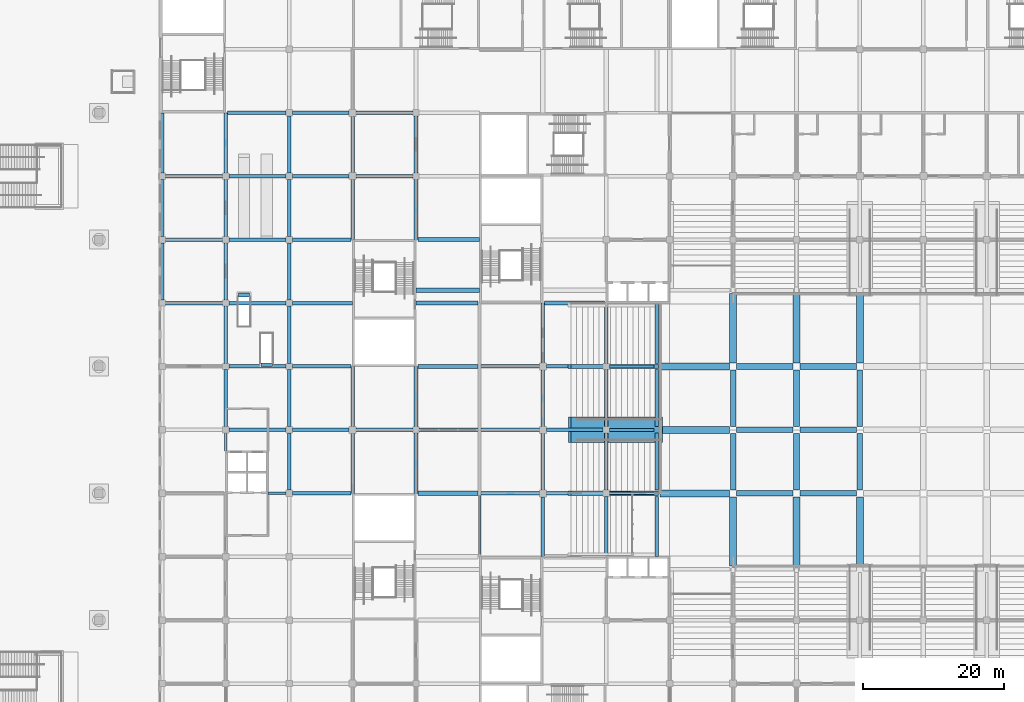
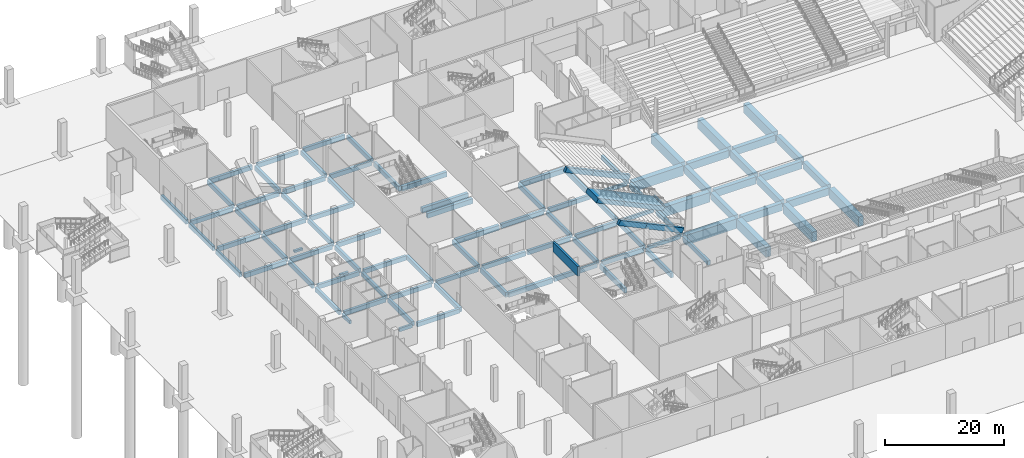
# One storey, part 12 of 92: 100 beams, 2 members.
"""IFC4 building model written with IfcOpenShell, lengths in metres."""

from ifc_helpers import new_model, si_unit, direction, frame, origin, origin_2d, place, context, subcontext, project, spatial, rectangle, extrude, material, material_profile, profile_set, type_object, element, save


model = new_model("IFC4")

# Units and contexts
model_context = context("Model", 3, precision=1e-05, world=origin(), true_north=direction((0.0, 1.0)))
body_context = subcontext(model_context, "Body", "Model", "MODEL_VIEW")
ifc_project = project(units=[si_unit("LENGTHUNIT", "METRE"), si_unit("AREAUNIT", "SQUARE_METRE"), si_unit("VOLUMEUNIT", "CUBIC_METRE"), si_unit("PLANEANGLEUNIT", "RADIAN"), si_unit("MASSUNIT", "GRAM", prefix="KILO")], contexts=[model_context])

# Site, building, storey
site_placement = place(None, origin())
site = spatial("IfcSite", under=ifc_project, at=site_placement, CompositionType="ELEMENT")
building_placement = place(site_placement, origin())
building = spatial("IfcBuilding", under=site, at=building_placement, Name="Silverbay Arena", CompositionType="ELEMENT")
storey_placement = place(building_placement, origin())
storey = spatial("IfcBuildingStorey", under=building, at=storey_placement, Name="L00", CompositionType="ELEMENT", Elevation=0.0)

# Members
ifc_material_1 = material(Name="Steel S355", Category="steel")
ifc_material_profile_1 = material_profile(ifc_material_1, rectangle(XDim=0.5, YDim=0.39990234375, at=origin_2d()), Name="BOX 500x400")
ifc_profile_set_1 = profile_set([ifc_material_profile_1], Name="Steel S355")
member_type = type_object("IfcMemberType", Name="Escalator truss seat 500 x 400", PredefinedType="STRUT", material=ifc_profile_set_1)
member_1_placement = place(storey_placement, frame((37.800048828125, 100.142333984375, -0.25), z_axis=(1.0, 0.0, 0.0), x_axis=(0.0, 1.0, 0.0)))
element("IfcMember", 1, at=member_1_placement, inside=storey, type_object=member_type, Name="Escalator truss seat LF28", PredefinedType="STRUT", context=body_context, shape_type="SweptSolid", body=[
    extrude(rectangle(XDim=0.5, YDim=0.39990234375, at=origin_2d()), origin(), (0.0, 0.0, 1.0), 1.599853515625),
])
member_2_placement = place(storey_placement, frame((41.0, 90.25, -0.25), z_axis=(1.0, 0.0, 0.0), x_axis=(0.0, 1.0, 0.0)))
element("IfcMember", 2, at=member_2_placement, inside=storey, type_object=member_type, Name="Escalator truss seat LF29", PredefinedType="STRUT", context=body_context, shape_type="SweptSolid", body=[
    extrude(rectangle(XDim=0.5, YDim=0.39990234375, at=origin_2d()), origin(), (0.0, 0.0, 1.0), 1.60009765625),
])

# Beams
ifc_material_2 = material(Name="Concrete Grade C45", Category="concrete")
ifc_material_profile_2 = material_profile(ifc_material_2, rectangle(XDim=1.0, YDim=2.0, at=origin_2d()), Name="RC 1000x2000")
ifc_profile_set_2 = profile_set([ifc_material_profile_2], Name="Concrete Grade C45")
beam_type_1 = type_object("IfcBeamType", Name="RC beam 1000x2000", PredefinedType="BEAM", material=ifc_profile_set_2)
for number, where, z_axis, x_axis, name in (
    (3, (97.64990234375, 72.0, -1.60009765625), (1.0, 0.0, 0.0), (0.0, 1.0, 0.0), "Floor beam L00 093"),
    (4, (97.64990234375, 81.0, -1.60009765625), (1.0, 0.0, 0.0), (0.0, 1.0, 0.0), "Floor beam L00 115"),
    (5, (97.64990234375, 90.0, -1.60009765625), (1.0, 0.0, 0.0), (0.0, 1.0, 0.0), "Floor beam L00 137"),
    (6, (108.0, 61.64990234375, -1.60009765625), (0.0, 1.0, 0.0), (-1.0, 0.0, 0.0), "Floor beam L00 320"),
    (7, (108.0, 90.5, -1.60009765625), (0.0, 1.0, 0.0), (-1.0, 0.0, 0.0), "Floor beam L00 323"),
    (8, (117.0, 61.64990234375, -1.60009765625), (0.0, 1.0, 0.0), (-1.0, 0.0, 0.0), "Floor beam L00 332"),
    (9, (117.0, 90.5, -1.60009765625), (0.0, 1.0, 0.0), (-1.0, 0.0, 0.0), "Floor beam L00 335"),
    (10, (126.0, 61.64990234375, -1.60009765625), (0.0, 1.0, 0.0), (-1.0, 0.0, 0.0), "Floor beam L00 345"),
    (11, (126.0, 90.5, -1.60009765625), (0.0, 1.0, 0.0), (-1.0, 0.0, 0.0), "Floor beam L00 348"),
):
    element("IfcBeam", number, at=place(storey_placement, frame(where, z_axis=z_axis, x_axis=x_axis)), inside=storey, type_object=beam_type_1, Name=name, PredefinedType="BEAM", context=body_context, shape_type="SweptSolid", body=[
        extrude(rectangle(XDim=1.0, YDim=2.0, at=origin_2d()), origin(), (0.0, 0.0, 1.0), 9.85009765625),
    ])
ifc_material_3 = material(Name="Concrete Grade C45", Category="concrete")
ifc_material_profile_3 = material_profile(ifc_material_3, rectangle(XDim=0.39990234375, YDim=0.699951171875, at=origin_2d()), Name="RC 400x700")
ifc_profile_set_3 = profile_set([ifc_material_profile_3], Name="Concrete Grade C45")
beam_type_2 = type_object("IfcBeamType", Name="RC beam 400x700", PredefinedType="BEAM", material=ifc_profile_set_3)
beam_1_placement = place(storey_placement, frame((42.0, 72.0, -0.800048828125), z_axis=(1.0, 0.0, 0.0), x_axis=(0.0, 1.0, 0.0)))
element("IfcBeam", 12, at=beam_1_placement, inside=storey, type_object=beam_type_2, Name="Floor beam L00 087", PredefinedType="BEAM", context=body_context, shape_type="SweptSolid", body=[
    extrude(rectangle(XDim=0.39990234375, YDim=0.699951171875, at=origin_2d()), origin(), (0.0, 0.0, 1.0), 2.550048828125),
])
for number, where, z_axis, x_axis, name in (
    (13, (90.449951171875, 72.0, -0.800048828125), (1.0, 0.0, 0.0), (0.0, 1.0, 0.0), "Floor beam L00 092"),
    (14, (90.449951171875, 81.0, -0.800048828125), (1.0, 0.0, 0.0), (0.0, 1.0, 0.0), "Floor beam L00 114"),
    (15, (90.449951171875, 90.0, -0.800048828125), (1.0, 0.0, 0.0), (0.0, 1.0, 0.0), "Floor beam L00 136"),
):
    element("IfcBeam", number, at=place(storey_placement, frame(where, z_axis=z_axis, x_axis=x_axis)), inside=storey, type_object=beam_type_2, Name=name, PredefinedType="BEAM", context=body_context, shape_type="SweptSolid", body=[
        extrude(rectangle(XDim=0.39990234375, YDim=0.699951171875, at=origin_2d()), origin(), (0.0, 0.0, 1.0), 6.300048828125),
    ])
beam_2_placement = place(storey_placement, frame((36.0, 78.0, -0.800048828125), z_axis=(0.0, 1.0, 0.0), x_axis=(-1.0, 0.0, 0.0)))
element("IfcBeam", 16, at=beam_2_placement, inside=storey, type_object=beam_type_2, Name="Floor beam L00 250", PredefinedType="BEAM", context=body_context, shape_type="SweptSolid", body=[
    extrude(rectangle(XDim=0.39990234375, YDim=0.699951171875, at=origin_2d()), origin(), (0.0, 0.0, 1.0), 2.550048828125),
])
ifc_material_4 = material(Name="Concrete Grade C45", Category="concrete")
ifc_material_profile_4 = material_profile(ifc_material_4, rectangle(XDim=0.5, YDim=1.0, at=origin_2d()), Name="RC 500x1000")
ifc_profile_set_4 = profile_set([ifc_material_profile_4], Name="Concrete Grade C45")
beam_type_3 = type_object("IfcBeamType", Name="RC beam 500x1000", PredefinedType="BEAM", material=ifc_profile_set_4)
for number, where, z_axis, x_axis, name in (
    (17, (63.0, 72.0, -0.949951171875), (0.0, 1.0, 0.0), (-1.0, 0.0, 0.0), "Floor beam L00 281"),
    (18, (63.0, 81.449951171875, -0.949951171875), (0.0, 1.0, 0.0), (-1.0, 0.0, 0.0), "Floor beam L00 282"),
    (19, (63.0, 108.0, -0.949951171875), (0.0, 1.0, 0.0), (-1.0, 0.0, 0.0), "Floor beam L00 283"),
):
    element("IfcBeam", number, at=place(storey_placement, frame(where, z_axis=z_axis, x_axis=x_axis)), inside=storey, type_object=beam_type_3, Name=name, PredefinedType="BEAM", context=body_context, shape_type="SweptSolid", body=[
        extrude(rectangle(XDim=0.5, YDim=1.0, at=origin_2d()), origin(), (0.0, 0.0, 1.0), 8.550048828125),
    ])
for number, where, z_axis, x_axis, name in (
    (20, (81.0, 63.0, -0.949951171875), (0.0, 1.0, 0.0), (-1.0, 0.0, 0.0), "Floor beam L00 287"),
    (21, (81.0, 90.5, -0.949951171875), (0.0, 1.0, 0.0), (-1.0, 0.0, 0.0), "Floor beam L00 290"),
):
    element("IfcBeam", number, at=place(storey_placement, frame(where, z_axis=z_axis, x_axis=x_axis)), inside=storey, type_object=beam_type_3, Name=name, PredefinedType="BEAM", context=body_context, shape_type="SweptSolid", body=[
        extrude(rectangle(XDim=0.5, YDim=1.0, at=origin_2d()), origin(), (0.0, 0.0, 1.0), 8.5),
    ])
for number, where, z_axis, x_axis, name in (
    (22, (90.0, 63.0, -0.949951171875), (0.0, 1.0, 0.0), (-1.0, 0.0, 0.0), "Floor beam L00 295"),
    (23, (90.0, 90.449951171875, -0.949951171875), (0.0, 1.0, 0.0), (-1.0, 0.0, 0.0), "Floor beam L00 298"),
):
    element("IfcBeam", number, at=place(storey_placement, frame(where, z_axis=z_axis, x_axis=x_axis)), inside=storey, type_object=beam_type_3, Name=name, PredefinedType="BEAM", context=body_context, shape_type="SweptSolid", body=[
        extrude(rectangle(XDim=0.5, YDim=1.0, at=origin_2d()), origin(), (0.0, 0.0, 1.0), 8.550048828125),
    ])
ifc_material_5 = material(Name="Concrete Grade C45", Category="concrete")
ifc_material_profile_5 = material_profile(ifc_material_5, rectangle(XDim=0.5, YDim=0.89990234375, at=origin_2d()), Name="RC 500x900")
ifc_profile_set_5 = profile_set([ifc_material_profile_5], Name="Concrete Grade C45")
beam_type_4 = type_object("IfcBeamType", Name="RC beam 500x900", PredefinedType="BEAM", material=ifc_profile_set_5)
for number, where, z_axis, x_axis, name in (
    (24, (45.449951171875, 72.0, -0.89990234375), (1.0, 0.0, 0.0), (0.0, 1.0, 0.0), "Floor beam L00 088"),
    (25, (72.199951171875, 72.0, -0.89990234375), (1.0, 0.0, 0.0), (0.0, 1.0, 0.0), "Floor beam L00 090"),
):
    element("IfcBeam", number, at=place(storey_placement, frame(where, z_axis=z_axis, x_axis=x_axis)), inside=storey, type_object=beam_type_4, Name=name, PredefinedType="BEAM", context=body_context, shape_type="SweptSolid", body=[
        extrude(rectangle(XDim=0.5, YDim=0.89990234375, at=origin_2d()), origin(), (0.0, 0.0, 1.0), 8.300048828125),
    ])
beam_3_placement = place(storey_placement, frame((81.5, 72.0, -0.89990234375), z_axis=(1.0, 0.0, 0.0), x_axis=(0.0, 1.0, 0.0)))
element("IfcBeam", 26, at=beam_3_placement, inside=storey, type_object=beam_type_4, Name="Floor beam L00 091", PredefinedType="BEAM", context=body_context, shape_type="SweptSolid", body=[
    extrude(rectangle(XDim=0.5, YDim=0.89990234375, at=origin_2d()), origin(), (0.0, 0.0, 1.0), 8.050048828125),
])
beam_4_placement = place(storey_placement, frame((36.449951171875, 81.0, -0.89990234375), z_axis=(1.0, 0.0, 0.0), x_axis=(0.0, 1.0, 0.0)))
element("IfcBeam", 27, at=beam_4_placement, inside=storey, type_object=beam_type_4, Name="Floor beam L00 108", PredefinedType="BEAM", context=body_context, shape_type="SweptSolid", body=[
    extrude(rectangle(XDim=0.5, YDim=0.89990234375, at=origin_2d()), origin(), (0.0, 0.0, 1.0), 8.10009765625),
])
for number, where, z_axis, x_axis, name in (
    (28, (45.449951171875, 81.0, -0.89990234375), (1.0, 0.0, 0.0), (0.0, 1.0, 0.0), "Floor beam L00 109"),
    (29, (54.5, 81.0, -0.89990234375), (1.0, 0.0, 0.0), (0.0, 1.0, 0.0), "Floor beam L00 110"),
):
    element("IfcBeam", number, at=place(storey_placement, frame(where, z_axis=z_axis, x_axis=x_axis)), inside=storey, type_object=beam_type_4, Name=name, PredefinedType="BEAM", context=body_context, shape_type="SweptSolid", body=[
        extrude(rectangle(XDim=0.5, YDim=0.89990234375, at=origin_2d()), origin(), (0.0, 0.0, 1.0), 8.050048828125),
    ])
beam_5_placement = place(storey_placement, frame((63.449951171875, 81.0, -0.89990234375), z_axis=(1.0, 0.0, 0.0), x_axis=(0.0, 1.0, 0.0)))
element("IfcBeam", 30, at=beam_5_placement, inside=storey, type_object=beam_type_4, Name="Floor beam L00 111", PredefinedType="BEAM", context=body_context, shape_type="SweptSolid", body=[
    extrude(rectangle(XDim=0.5, YDim=0.89990234375, at=origin_2d()), origin(), (0.0, 0.0, 1.0), 8.35009765625),
])
beam_6_placement = place(storey_placement, frame((72.199951171875, 81.0, -0.89990234375), z_axis=(1.0, 0.0, 0.0), x_axis=(0.0, 1.0, 0.0)))
element("IfcBeam", 31, at=beam_6_placement, inside=storey, type_object=beam_type_4, Name="Floor beam L00 112", PredefinedType="BEAM", context=body_context, shape_type="SweptSolid", body=[
    extrude(rectangle(XDim=0.5, YDim=0.89990234375, at=origin_2d()), origin(), (0.0, 0.0, 1.0), 8.300048828125),
])
beam_7_placement = place(storey_placement, frame((81.5, 81.0, -0.89990234375), z_axis=(1.0, 0.0, 0.0), x_axis=(0.0, 1.0, 0.0)))
element("IfcBeam", 32, at=beam_7_placement, inside=storey, type_object=beam_type_4, Name="Floor beam L00 113", PredefinedType="BEAM", context=body_context, shape_type="SweptSolid", body=[
    extrude(rectangle(XDim=0.5, YDim=0.89990234375, at=origin_2d()), origin(), (0.0, 0.0, 1.0), 8.050048828125),
])
beam_8_placement = place(storey_placement, frame((36.449951171875, 90.0, -0.89990234375), z_axis=(1.0, 0.0, 0.0), x_axis=(0.0, 1.0, 0.0)))
element("IfcBeam", 33, at=beam_8_placement, inside=storey, type_object=beam_type_4, Name="Floor beam L00 131", PredefinedType="BEAM", context=body_context, shape_type="SweptSolid", body=[
    extrude(rectangle(XDim=0.5, YDim=0.89990234375, at=origin_2d()), origin(), (0.0, 0.0, 1.0), 8.10009765625),
])
for number, where, z_axis, x_axis, name in (
    (34, (45.449951171875, 90.0, -0.89990234375), (1.0, 0.0, 0.0), (0.0, 1.0, 0.0), "Floor beam L00 132"),
    (35, (72.199951171875, 90.0, -0.89990234375), (1.0, 0.0, 0.0), (0.0, 1.0, 0.0), "Floor beam L00 134"),
):
    element("IfcBeam", number, at=place(storey_placement, frame(where, z_axis=z_axis, x_axis=x_axis)), inside=storey, type_object=beam_type_4, Name=name, PredefinedType="BEAM", context=body_context, shape_type="SweptSolid", body=[
        extrude(rectangle(XDim=0.5, YDim=0.89990234375, at=origin_2d()), origin(), (0.0, 0.0, 1.0), 8.300048828125),
    ])
beam_9_placement = place(storey_placement, frame((81.5, 90.0, -0.89990234375), z_axis=(1.0, 0.0, 0.0), x_axis=(0.0, 1.0, 0.0)))
element("IfcBeam", 36, at=beam_9_placement, inside=storey, type_object=beam_type_4, Name="Floor beam L00 135", PredefinedType="BEAM", context=body_context, shape_type="SweptSolid", body=[
    extrude(rectangle(XDim=0.5, YDim=0.89990234375, at=origin_2d()), origin(), (0.0, 0.0, 1.0), 8.050048828125),
])
for number, where, z_axis, x_axis, name in (
    (37, (27.449951171875, 99.0, -0.89990234375), (1.0, 0.0, 0.0), (0.0, 1.0, 0.0), "Floor beam L00 151"),
    (38, (36.449951171875, 99.0, -0.89990234375), (1.0, 0.0, 0.0), (0.0, 1.0, 0.0), "Floor beam L00 152"),
):
    element("IfcBeam", number, at=place(storey_placement, frame(where, z_axis=z_axis, x_axis=x_axis)), inside=storey, type_object=beam_type_4, Name=name, PredefinedType="BEAM", context=body_context, shape_type="SweptSolid", body=[
        extrude(rectangle(XDim=0.5, YDim=0.89990234375, at=origin_2d()), origin(), (0.0, 0.0, 1.0), 8.10009765625),
    ])
beam_10_placement = place(storey_placement, frame((45.449951171875, 99.0, -0.89990234375), z_axis=(1.0, 0.0, 0.0), x_axis=(0.0, 1.0, 0.0)))
element("IfcBeam", 39, at=beam_10_placement, inside=storey, type_object=beam_type_4, Name="Floor beam L00 153", PredefinedType="BEAM", context=body_context, shape_type="SweptSolid", body=[
    extrude(rectangle(XDim=0.5, YDim=0.89990234375, at=origin_2d()), origin(), (0.0, 0.0, 1.0), 8.550048828125),
])
for number, where, z_axis, x_axis, name in (
    (40, (27.449951171875, 108.0, -0.89990234375), (1.0, 0.0, 0.0), (0.0, 1.0, 0.0), "Floor beam L00 172"),
    (41, (36.449951171875, 108.0, -0.89990234375), (1.0, 0.0, 0.0), (0.0, 1.0, 0.0), "Floor beam L00 173"),
):
    element("IfcBeam", number, at=place(storey_placement, frame(where, z_axis=z_axis, x_axis=x_axis)), inside=storey, type_object=beam_type_4, Name=name, PredefinedType="BEAM", context=body_context, shape_type="SweptSolid", body=[
        extrude(rectangle(XDim=0.5, YDim=0.89990234375, at=origin_2d()), origin(), (0.0, 0.0, 1.0), 8.10009765625),
    ])
beam_11_placement = place(storey_placement, frame((45.449951171875, 108.0, -0.89990234375), z_axis=(1.0, 0.0, 0.0), x_axis=(0.0, 1.0, 0.0)))
element("IfcBeam", 42, at=beam_11_placement, inside=storey, type_object=beam_type_4, Name="Floor beam L00 174", PredefinedType="BEAM", context=body_context, shape_type="SweptSolid", body=[
    extrude(rectangle(XDim=0.5, YDim=0.89990234375, at=origin_2d()), origin(), (0.0, 0.0, 1.0), 8.300048828125),
])
for number, where, z_axis, x_axis, name in (
    (43, (27.449951171875, 117.0, -0.89990234375), (1.0, 0.0, 0.0), (0.0, 1.0, 0.0), "Floor beam L00 191"),
    (44, (36.449951171875, 117.0, -0.89990234375), (1.0, 0.0, 0.0), (0.0, 1.0, 0.0), "Floor beam L00 192"),
):
    element("IfcBeam", number, at=place(storey_placement, frame(where, z_axis=z_axis, x_axis=x_axis)), inside=storey, type_object=beam_type_4, Name=name, PredefinedType="BEAM", context=body_context, shape_type="SweptSolid", body=[
        extrude(rectangle(XDim=0.5, YDim=0.89990234375, at=origin_2d()), origin(), (0.0, 0.0, 1.0), 8.10009765625),
    ])
for number, where, z_axis, x_axis, name in (
    (45, (45.449951171875, 117.0, -0.89990234375), (1.0, 0.0, 0.0), (0.0, 1.0, 0.0), "Floor beam L00 193"),
    (46, (54.5, 117.0, -0.89990234375), (1.0, 0.0, 0.0), (0.0, 1.0, 0.0), "Floor beam L00 194"),
):
    element("IfcBeam", number, at=place(storey_placement, frame(where, z_axis=z_axis, x_axis=x_axis)), inside=storey, type_object=beam_type_4, Name=name, PredefinedType="BEAM", context=body_context, shape_type="SweptSolid", body=[
        extrude(rectangle(XDim=0.5, YDim=0.89990234375, at=origin_2d()), origin(), (0.0, 0.0, 1.0), 8.050048828125),
    ])
beam_12_placement = place(storey_placement, frame((36.25, 126.0, -0.89990234375), z_axis=(1.0, 0.0, 0.0), x_axis=(0.0, 1.0, 0.0)))
element("IfcBeam", 47, at=beam_12_placement, inside=storey, type_object=beam_type_4, Name="Floor beam L00 210", PredefinedType="BEAM", context=body_context, shape_type="SweptSolid", body=[
    extrude(rectangle(XDim=0.5, YDim=0.89990234375, at=origin_2d()), origin(), (0.0, 0.0, 1.0), 8.300048828125),
])
for number, where, z_axis, x_axis, name in (
    (48, (45.449951171875, 126.0, -0.89990234375), (1.0, 0.0, 0.0), (0.0, 1.0, 0.0), "Floor beam L00 211"),
    (49, (54.5, 126.0, -0.89990234375), (1.0, 0.0, 0.0), (0.0, 1.0, 0.0), "Floor beam L00 212"),
):
    element("IfcBeam", number, at=place(storey_placement, frame(where, z_axis=z_axis, x_axis=x_axis)), inside=storey, type_object=beam_type_4, Name=name, PredefinedType="BEAM", context=body_context, shape_type="SweptSolid", body=[
        extrude(rectangle(XDim=0.5, YDim=0.89990234375, at=origin_2d()), origin(), (0.0, 0.0, 1.0), 8.050048828125),
    ])
for number, where, z_axis, x_axis, name in (
    (50, (27.0, 99.449951171875, -0.89990234375), (0.0, 1.0, 0.0), (-1.0, 0.0, 0.0), "Floor beam L00 243"),
    (51, (27.0, 108.449951171875, -0.89990234375), (0.0, 1.0, 0.0), (-1.0, 0.0, 0.0), "Floor beam L00 244"),
):
    element("IfcBeam", number, at=place(storey_placement, frame(where, z_axis=z_axis, x_axis=x_axis)), inside=storey, type_object=beam_type_4, Name=name, PredefinedType="BEAM", context=body_context, shape_type="SweptSolid", body=[
        extrude(rectangle(XDim=0.5, YDim=0.89990234375, at=origin_2d()), origin(), (0.0, 0.0, 1.0), 8.10009765625),
    ])
beam_13_placement = place(storey_placement, frame((27.0, 117.449951171875, -0.89990234375), z_axis=(0.0, 1.0, 0.0), x_axis=(-1.0, 0.0, 0.0)))
element("IfcBeam", 52, at=beam_13_placement, inside=storey, type_object=beam_type_4, Name="Floor beam L00 245", PredefinedType="BEAM", context=body_context, shape_type="SweptSolid", body=[
    extrude(rectangle(XDim=0.5, YDim=0.89990234375, at=origin_2d()), origin(), (0.0, 0.0, 1.0), 8.550048828125),
])
for number, where, z_axis, x_axis, name in (
    (53, (36.0, 81.449951171875, -0.89990234375), (0.0, 1.0, 0.0), (-1.0, 0.0, 0.0), "Floor beam L00 251"),
    (54, (36.0, 90.449951171875, -0.89990234375), (0.0, 1.0, 0.0), (-1.0, 0.0, 0.0), "Floor beam L00 252"),
    (55, (36.0, 99.449951171875, -0.89990234375), (0.0, 1.0, 0.0), (-1.0, 0.0, 0.0), "Floor beam L00 253"),
    (56, (36.0, 108.449951171875, -0.89990234375), (0.0, 1.0, 0.0), (-1.0, 0.0, 0.0), "Floor beam L00 254"),
):
    element("IfcBeam", number, at=place(storey_placement, frame(where, z_axis=z_axis, x_axis=x_axis)), inside=storey, type_object=beam_type_4, Name=name, PredefinedType="BEAM", context=body_context, shape_type="SweptSolid", body=[
        extrude(rectangle(XDim=0.5, YDim=0.89990234375, at=origin_2d()), origin(), (0.0, 0.0, 1.0), 8.10009765625),
    ])
beam_14_placement = place(storey_placement, frame((36.0, 117.449951171875, -0.89990234375), z_axis=(0.0, 1.0, 0.0), x_axis=(-1.0, 0.0, 0.0)))
element("IfcBeam", 57, at=beam_14_placement, inside=storey, type_object=beam_type_4, Name="Floor beam L00 255", PredefinedType="BEAM", context=body_context, shape_type="SweptSolid", body=[
    extrude(rectangle(XDim=0.5, YDim=0.89990234375, at=origin_2d()), origin(), (0.0, 0.0, 1.0), 8.550048828125),
])
for number, where, z_axis, x_axis, name in (
    (58, (45.0, 72.449951171875, -0.89990234375), (0.0, 1.0, 0.0), (-1.0, 0.0, 0.0), "Floor beam L00 262"),
    (59, (45.0, 81.449951171875, -0.89990234375), (0.0, 1.0, 0.0), (-1.0, 0.0, 0.0), "Floor beam L00 263"),
    (60, (45.0, 90.449951171875, -0.89990234375), (0.0, 1.0, 0.0), (-1.0, 0.0, 0.0), "Floor beam L00 264"),
    (61, (45.0, 99.449951171875, -0.89990234375), (0.0, 1.0, 0.0), (-1.0, 0.0, 0.0), "Floor beam L00 265"),
    (62, (45.0, 108.449951171875, -0.89990234375), (0.0, 1.0, 0.0), (-1.0, 0.0, 0.0), "Floor beam L00 266"),
    (63, (45.0, 117.449951171875, -0.89990234375), (0.0, 1.0, 0.0), (-1.0, 0.0, 0.0), "Floor beam L00 267"),
):
    element("IfcBeam", number, at=place(storey_placement, frame(where, z_axis=z_axis, x_axis=x_axis)), inside=storey, type_object=beam_type_4, Name=name, PredefinedType="BEAM", context=body_context, shape_type="SweptSolid", body=[
        extrude(rectangle(XDim=0.5, YDim=0.89990234375, at=origin_2d()), origin(), (0.0, 0.0, 1.0), 8.10009765625),
    ])
for number, where, z_axis, x_axis, name in (
    (64, (54.0, 72.0, -0.89990234375), (0.0, 1.0, 0.0), (-1.0, 0.0, 0.0), "Floor beam L00 273"),
    (65, (54.0, 81.5, -0.89990234375), (0.0, 1.0, 0.0), (-1.0, 0.0, 0.0), "Floor beam L00 274"),
    (66, (54.0, 108.0, -0.89990234375), (0.0, 1.0, 0.0), (-1.0, 0.0, 0.0), "Floor beam L00 275"),
):
    element("IfcBeam", number, at=place(storey_placement, frame(where, z_axis=z_axis, x_axis=x_axis)), inside=storey, type_object=beam_type_4, Name=name, PredefinedType="BEAM", context=body_context, shape_type="SweptSolid", body=[
        extrude(rectangle(XDim=0.5, YDim=0.89990234375, at=origin_2d()), origin(), (0.0, 0.0, 1.0), 8.5),
    ])
beam_15_placement = place(storey_placement, frame((54.0, 117.5, -0.89990234375), z_axis=(0.0, 1.0, 0.0), x_axis=(-1.0, 0.0, 0.0)))
element("IfcBeam", 67, at=beam_15_placement, inside=storey, type_object=beam_type_4, Name="Floor beam L00 276", PredefinedType="BEAM", context=body_context, shape_type="SweptSolid", body=[
    extrude(rectangle(XDim=0.5, YDim=0.89990234375, at=origin_2d()), origin(), (0.0, 0.0, 1.0), 8.0),
])
beam_16_placement = place(storey_placement, frame((63.0, 117.449951171875, -0.89990234375), z_axis=(0.0, 1.0, 0.0), x_axis=(-1.0, 0.0, 0.0)))
element("IfcBeam", 68, at=beam_16_placement, inside=storey, type_object=beam_type_4, Name="Floor beam L00 284", PredefinedType="BEAM", context=body_context, shape_type="SweptSolid", body=[
    extrude(rectangle(XDim=0.5, YDim=0.89990234375, at=origin_2d()), origin(), (0.0, 0.0, 1.0), 8.10009765625),
])
for number, where, z_axis, x_axis, name in (
    (69, (81.0, 72.5, -0.89990234375), (0.0, 1.0, 0.0), (-1.0, 0.0, 0.0), "Floor beam L00 288"),
    (70, (81.0, 81.5, -0.89990234375), (0.0, 1.0, 0.0), (-1.0, 0.0, 0.0), "Floor beam L00 289"),
):
    element("IfcBeam", number, at=place(storey_placement, frame(where, z_axis=z_axis, x_axis=x_axis)), inside=storey, type_object=beam_type_4, Name=name, PredefinedType="BEAM", context=body_context, shape_type="SweptSolid", body=[
        extrude(rectangle(XDim=0.5, YDim=0.89990234375, at=origin_2d()), origin(), (0.0, 0.0, 1.0), 8.0),
    ])
for number, where, z_axis, x_axis, name in (
    (71, (90.0, 72.449951171875, -0.89990234375), (0.0, 1.0, 0.0), (-1.0, 0.0, 0.0), "Floor beam L00 296"),
    (72, (90.0, 81.449951171875, -0.89990234375), (0.0, 1.0, 0.0), (-1.0, 0.0, 0.0), "Floor beam L00 297"),
):
    element("IfcBeam", number, at=place(storey_placement, frame(where, z_axis=z_axis, x_axis=x_axis)), inside=storey, type_object=beam_type_4, Name=name, PredefinedType="BEAM", context=body_context, shape_type="SweptSolid", body=[
        extrude(rectangle(XDim=0.5, YDim=0.89990234375, at=origin_2d()), origin(), (0.0, 0.0, 1.0), 8.10009765625),
    ])
beam_17_placement = place(storey_placement, frame((97.199951171875, 63.0, -0.89990234375), z_axis=(0.0, 1.0, 0.0), x_axis=(-1.0, 0.0, 0.0)))
element("IfcBeam", 73, at=beam_17_placement, inside=storey, type_object=beam_type_4, Name="Floor beam L00 303", PredefinedType="BEAM", context=body_context, shape_type="SweptSolid", body=[
    extrude(rectangle(XDim=0.5, YDim=0.89990234375, at=origin_2d()), origin(), (0.0, 0.0, 1.0), 8.550048828125),
])
for number, where, z_axis, x_axis, name in (
    (74, (97.199951171875, 72.449951171875, -0.89990234375), (0.0, 1.0, 0.0), (-1.0, 0.0, 0.0), "Floor beam L00 304"),
    (75, (97.199951171875, 81.449951171875, -0.89990234375), (0.0, 1.0, 0.0), (-1.0, 0.0, 0.0), "Floor beam L00 305"),
):
    element("IfcBeam", number, at=place(storey_placement, frame(where, z_axis=z_axis, x_axis=x_axis)), inside=storey, type_object=beam_type_4, Name=name, PredefinedType="BEAM", context=body_context, shape_type="SweptSolid", body=[
        extrude(rectangle(XDim=0.5, YDim=0.89990234375, at=origin_2d()), origin(), (0.0, 0.0, 1.0), 8.10009765625),
    ])
beam_18_placement = place(storey_placement, frame((97.199951171875, 90.449951171875, -0.89990234375), z_axis=(0.0, 1.0, 0.0), x_axis=(-1.0, 0.0, 0.0)))
element("IfcBeam", 76, at=beam_18_placement, inside=storey, type_object=beam_type_4, Name="Floor beam L00 306", PredefinedType="BEAM", context=body_context, shape_type="SweptSolid", body=[
    extrude(rectangle(XDim=0.5, YDim=0.89990234375, at=origin_2d()), origin(), (0.0, 0.0, 1.0), 8.550048828125),
])
ifc_material_6 = material(Name="Concrete Grade C45", Category="concrete")
ifc_material_profile_6 = material_profile(ifc_material_6, rectangle(XDim=0.60009765625, YDim=1.0, at=origin_2d()), Name="RC 600x1000")
ifc_profile_set_6 = profile_set([ifc_material_profile_6], Name="Concrete Grade C45")
beam_type_5 = type_object("IfcBeamType", Name="RC beam 600x1000", PredefinedType="BEAM", material=ifc_profile_set_6)
for number, where, z_axis, x_axis, name in (
    (77, (63.25, 72.0, -0.949951171875), (1.0, 0.0, 0.0), (0.0, 1.0, 0.0), "Floor beam L00 089"),
    (78, (63.25, 90.0, -0.949951171875), (1.0, 0.0, 0.0), (0.0, 1.0, 0.0), "Floor beam L00 133"),
):
    element("IfcBeam", number, at=place(storey_placement, frame(where, z_axis=z_axis, x_axis=x_axis)), inside=storey, type_object=beam_type_5, Name=name, PredefinedType="BEAM", context=body_context, shape_type="SweptSolid", body=[
        extrude(rectangle(XDim=0.60009765625, YDim=1.0, at=origin_2d()), origin(), (0.0, 0.0, 1.0), 8.550048828125),
    ])
beam_19_placement = place(storey_placement, frame((63.0, 99.0, -0.949951171875), z_axis=(1.0, 0.0, 0.0), x_axis=(0.0, 1.0, 0.0)))
element("IfcBeam", 79, at=beam_19_placement, inside=storey, type_object=beam_type_5, Name="Floor beam L00 154", PredefinedType="BEAM", context=body_context, shape_type="SweptSolid", body=[
    extrude(rectangle(XDim=0.60009765625, YDim=1.0, at=origin_2d()), origin(), (0.0, 0.0, 1.0), 8.800048828125),
])
beam_20_placement = place(storey_placement, frame((81.25, 99.0, -0.949951171875), z_axis=(1.0, 0.0, 0.0), x_axis=(0.0, 1.0, 0.0)))
element("IfcBeam", 80, at=beam_20_placement, inside=storey, type_object=beam_type_5, Name="Floor beam L00 155", PredefinedType="BEAM", context=body_context, shape_type="SweptSolid", body=[
    extrude(rectangle(XDim=0.60009765625, YDim=1.0, at=origin_2d()), origin(), (0.0, 0.0, 1.0), 8.5),
])
beam_21_placement = place(storey_placement, frame((63.0, 100.800048828125, -0.949951171875), z_axis=(1.0, 0.0, 0.0), x_axis=(0.0, 1.0, 0.0)))
element("IfcBeam", 81, at=beam_21_placement, inside=storey, type_object=beam_type_5, Name="Floor beam L00 161", PredefinedType="BEAM", context=body_context, shape_type="SweptSolid", body=[
    extrude(rectangle(XDim=0.60009765625, YDim=1.0, at=origin_2d()), origin(), (0.0, 0.0, 1.0), 9.0),
])
beam_22_placement = place(storey_placement, frame((63.25, 108.0, -0.949951171875), z_axis=(1.0, 0.0, 0.0), x_axis=(0.0, 1.0, 0.0)))
element("IfcBeam", 82, at=beam_22_placement, inside=storey, type_object=beam_type_5, Name="Floor beam L00 175", PredefinedType="BEAM", context=body_context, shape_type="SweptSolid", body=[
    extrude(rectangle(XDim=0.60009765625, YDim=1.0, at=origin_2d()), origin(), (0.0, 0.0, 1.0), 8.75),
])
ifc_material_7 = material(Name="Concrete Grade C45", Category="concrete")
ifc_material_profile_7 = material_profile(ifc_material_7, rectangle(XDim=0.800048828125, YDim=1.5, at=origin_2d()), Name="RC 800x1500")
ifc_profile_set_7 = profile_set([ifc_material_profile_7], Name="Concrete Grade C45")
beam_type_6 = type_object("IfcBeamType", Name="RC beam 800x1500", PredefinedType="BEAM", material=ifc_profile_set_7)
for number, where, z_axis, x_axis, name in (
    (83, (108.5, 72.0, -1.35009765625), (1.0, 0.0, 0.0), (0.0, 1.0, 0.0), "Floor beam L00 094"),
    (84, (117.5, 72.0, -1.35009765625), (1.0, 0.0, 0.0), (0.0, 1.0, 0.0), "Floor beam L00 095"),
    (85, (108.5, 81.0, -1.35009765625), (1.0, 0.0, 0.0), (0.0, 1.0, 0.0), "Floor beam L00 116"),
    (86, (117.5, 81.0, -1.35009765625), (1.0, 0.0, 0.0), (0.0, 1.0, 0.0), "Floor beam L00 117"),
    (87, (108.5, 90.0, -1.35009765625), (1.0, 0.0, 0.0), (0.0, 1.0, 0.0), "Floor beam L00 138"),
    (88, (117.5, 90.0, -1.35009765625), (1.0, 0.0, 0.0), (0.0, 1.0, 0.0), "Floor beam L00 139"),
    (89, (108.0, 72.5, -1.35009765625), (0.0, 1.0, 0.0), (-1.0, 0.0, 0.0), "Floor beam L00 321"),
    (90, (108.0, 81.5, -1.35009765625), (0.0, 1.0, 0.0), (-1.0, 0.0, 0.0), "Floor beam L00 322"),
    (91, (117.0, 72.5, -1.35009765625), (0.0, 1.0, 0.0), (-1.0, 0.0, 0.0), "Floor beam L00 333"),
    (92, (117.0, 81.5, -1.35009765625), (0.0, 1.0, 0.0), (-1.0, 0.0, 0.0), "Floor beam L00 334"),
    (93, (126.0, 72.5, -1.35009765625), (0.0, 1.0, 0.0), (-1.0, 0.0, 0.0), "Floor beam L00 346"),
    (94, (126.0, 81.5, -1.35009765625), (0.0, 1.0, 0.0), (-1.0, 0.0, 0.0), "Floor beam L00 347"),
):
    element("IfcBeam", number, at=place(storey_placement, frame(where, z_axis=z_axis, x_axis=x_axis)), inside=storey, type_object=beam_type_6, Name=name, PredefinedType="BEAM", context=body_context, shape_type="SweptSolid", body=[
        extrude(rectangle(XDim=0.800048828125, YDim=1.5, at=origin_2d()), origin(), (0.0, 0.0, 1.0), 8.0),
    ])
ifc_material_8 = material(Name="Concrete Grade C45", Category="concrete")
ifc_material_profile_8 = material_profile(ifc_material_8, rectangle(XDim=0.300048828125, YDim=0.298828125, at=origin_2d()), Name="RC 300x299")
ifc_profile_set_8 = profile_set([ifc_material_profile_8], Name="Concrete Grade C45")
beam_type_7 = type_object("IfcBeamType", Name="RC foot plinth 300x299", PredefinedType="BEAM", material=ifc_profile_set_8)
beam_23_placement = place(storey_placement, frame((97.800048828125, 79.5, 0.960693359375), z_axis=(0.0, 1.0, 0.0), x_axis=(-1.0, 0.0, 0.0)))
element("IfcBeam", 95, at=beam_23_placement, inside=storey, type_object=beam_type_7, Name="Foot plinth West lower 81", PredefinedType="BEAM", context=body_context, shape_type="SweptSolid", body=[
    extrude(rectangle(XDim=0.300048828125, YDim=0.298828125, at=origin_2d()), origin(), (0.0, 0.0, 1.0), 3.0),
])
ifc_material_9 = material(Name="Concrete Grade C45", Category="concrete")
ifc_material_profile_9 = material_profile(ifc_material_9, rectangle(XDim=0.39990234375, YDim=2.0, at=origin_2d()), Name="RC 400x2000")
ifc_profile_set_9 = profile_set([ifc_material_profile_9], Name="Concrete Grade C45")
beam_type_8 = type_object("IfcBeamType", Name="RC lintel 400x2000", PredefinedType="BEAM", material=ifc_profile_set_9)
beam_24_placement = place(storey_placement, frame((72.0, 63.300048828125, 6.0), z_axis=(0.0, 1.0, 0.0), x_axis=(-1.0, 0.0, 0.0)))
element("IfcBeam", 96, at=beam_24_placement, inside=storey, type_object=beam_type_8, Name="Lintel over portal L00-TWS", PredefinedType="BEAM", context=body_context, shape_type="SweptSolid", body=[
    extrude(rectangle(XDim=0.39990234375, YDim=2.0, at=origin_2d()), origin(), (0.0, 0.0, 1.0), 8.39990234375),
])
ifc_material_10 = material(Name="Concrete Grade C45", Category="concrete")
ifc_material_profile_10 = material_profile(ifc_material_10, rectangle(XDim=3.60009765625, YDim=0.89990234375, at=origin_2d()), Name="RC 3600x900")
ifc_profile_set_10 = profile_set([ifc_material_profile_10], Name="Concrete Grade C45")
beam_type_9 = type_object("IfcBeamType", Name="RC tier raker 3600x900", PredefinedType="BEAM", material=ifc_profile_set_10)
beam_25_placement = place(storey_placement, frame((97.800048828125, 81.0, 0.24169921875), z_axis=(-0.903275038974, 0.0, 0.429062004804), x_axis=(0.0, -1.0, 0.0)))
element("IfcBeam", 97, at=beam_25_placement, inside=storey, type_object=beam_type_9, Name="Raker West lower 81 front", PredefinedType="BEAM", context=body_context, shape_type="SweptSolid", body=[
    extrude(rectangle(XDim=3.60009765625, YDim=0.89990234375, at=origin_2d()), origin(), (0.0, 0.0, 1.0), 8.63525390625),
])
beam_26_placement = place(storey_placement, frame((90.0, 81.0, 3.94677734375), z_axis=(-0.903272978458, 0.0, 0.429066342642), x_axis=(0.0, -1.0, 0.0)))
element("IfcBeam", 98, at=beam_26_placement, inside=storey, type_object=beam_type_9, Name="Raker West lower 81 back", PredefinedType="BEAM", context=body_context, shape_type="SweptSolid", body=[
    extrude(rectangle(XDim=3.60009765625, YDim=0.89990234375, at=origin_2d()), origin(), (0.0, 0.0, 1.0), 5.749267578125),
])
ifc_material_11 = material(Name="Concrete Grade C45", Category="concrete")
ifc_material_profile_11 = material_profile(ifc_material_11, rectangle(XDim=0.60009765625, YDim=1.0, at=origin_2d()), Name="RC 600x1000")
ifc_profile_set_11 = profile_set([ifc_material_profile_11], Name="Concrete Grade C45")
beam_type_10 = type_object("IfcBeamType", Name="RC tier raker 600x1000", PredefinedType="BEAM", material=ifc_profile_set_11)
beam_27_placement = place(storey_placement, frame((97.199951171875, 72.0, 0.471435546875), z_axis=(-0.903280175199, 0.0, 0.429051191692), x_axis=(0.0, -1.0, 0.0)))
element("IfcBeam", 99, at=beam_27_placement, inside=storey, type_object=beam_type_10, Name="Raker West lower 72 front", PredefinedType="BEAM", context=body_context, shape_type="SweptSolid", body=[
    extrude(rectangle(XDim=0.60009765625, YDim=1.0, at=origin_2d()), origin(), (0.0, 0.0, 1.0), 7.970947265625),
])
beam_28_placement = place(storey_placement, frame((90.0, 72.0, 3.891357421875), z_axis=(-0.903269719071, 0.0, 0.429073204255), x_axis=(0.0, -1.0, 0.0)))
element("IfcBeam", 100, at=beam_28_placement, inside=storey, type_object=beam_type_10, Name="Raker West lower 72 back", PredefinedType="BEAM", context=body_context, shape_type="SweptSolid", body=[
    extrude(rectangle(XDim=0.60009765625, YDim=1.0, at=origin_2d()), origin(), (0.0, 0.0, 1.0), 5.77294921875),
])
beam_29_placement = place(storey_placement, frame((97.199951171875, 90.0, 0.471435546875), z_axis=(-0.903280175199, 0.0, 0.429051191692), x_axis=(0.0, -1.0, 0.0)))
element("IfcBeam", 101, at=beam_29_placement, inside=storey, type_object=beam_type_10, Name="Raker West lower 90 front", PredefinedType="BEAM", context=body_context, shape_type="SweptSolid", body=[
    extrude(rectangle(XDim=0.60009765625, YDim=1.0, at=origin_2d()), origin(), (0.0, 0.0, 1.0), 7.970947265625),
])
beam_30_placement = place(storey_placement, frame((90.0, 90.0, 3.891357421875), z_axis=(-0.903269719071, 0.0, 0.429073204255), x_axis=(0.0, -1.0, 0.0)))
element("IfcBeam", 102, at=beam_30_placement, inside=storey, type_object=beam_type_10, Name="Raker West lower 90 back", PredefinedType="BEAM", context=body_context, shape_type="SweptSolid", body=[
    extrude(rectangle(XDim=0.60009765625, YDim=1.0, at=origin_2d()), origin(), (0.0, 0.0, 1.0), 5.77294921875),
])

save(model, "model.ifc")
